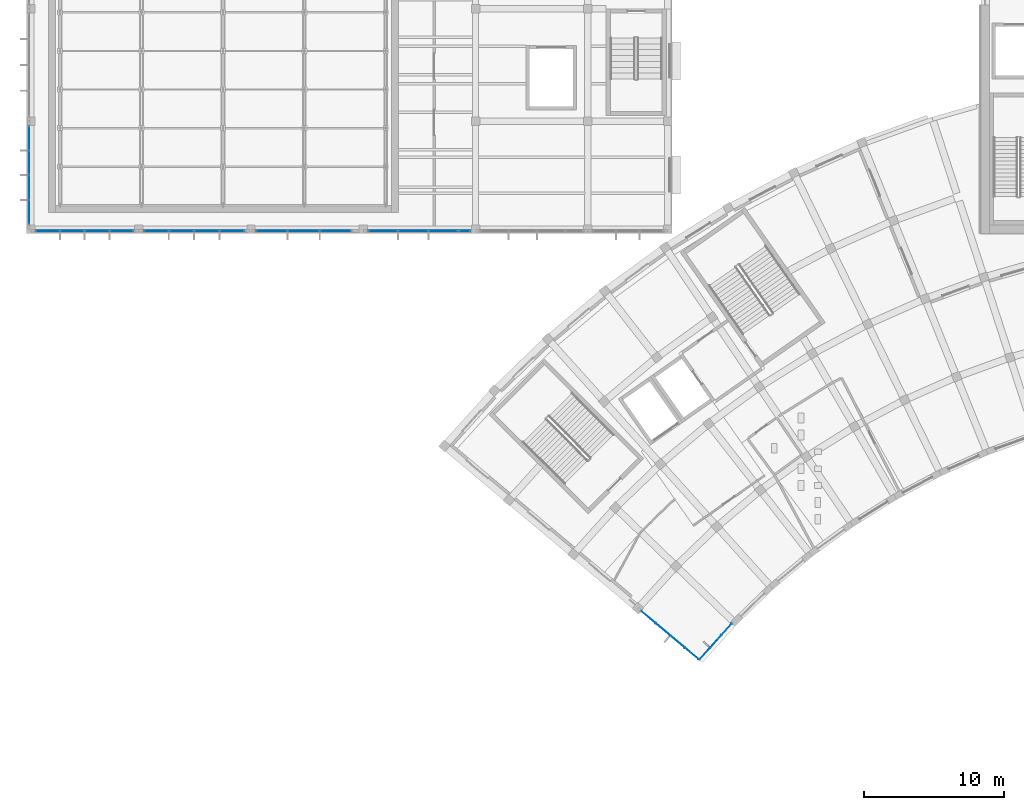
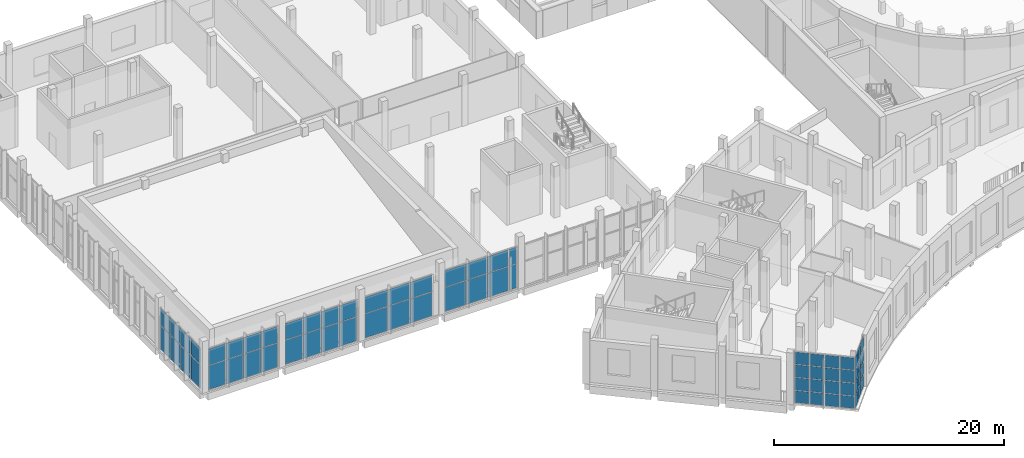
# One storey, part 60 of 132: 66 plates, 8 elements without a shape of their own.
"""IFC4 building model written with IfcOpenShell, lengths in metres."""

from ifc_helpers import new_model, si_unit, direction, frame, origin, origin_2d, place, context, subcontext, project, spatial, rectangle, extrude, material, layer, layer_set, type_object, element, aggregate, save


model = new_model("IFC4")

# Units and contexts
model_context = context("Model", 3, precision=1e-05, world=origin(), true_north=direction((0.0, 1.0)))
body_context = subcontext(model_context, "Body", "Model", "MODEL_VIEW")
ifc_project = project(units=[si_unit("LENGTHUNIT", "METRE"), si_unit("AREAUNIT", "SQUARE_METRE"), si_unit("VOLUMEUNIT", "CUBIC_METRE"), si_unit("PLANEANGLEUNIT", "RADIAN"), si_unit("MASSUNIT", "GRAM", prefix="KILO")], contexts=[model_context])

# Site, building, storey
site_placement = place(None, origin())
site = spatial("IfcSite", under=ifc_project, at=site_placement, CompositionType="ELEMENT")
building_placement = place(site_placement, origin())
building = spatial("IfcBuilding", under=site, at=building_placement, Name="Lunette Opera House", CompositionType="ELEMENT")
storey_placement = place(building_placement, frame((0.0, 0.0, 17.0)))
storey = spatial("IfcBuildingStorey", under=building, at=storey_placement, Name="L03", CompositionType="ELEMENT", Elevation=17.0)

# Curtain wall, plates
ifc_material_1 = material(Name="Aluminium", Category="aluminium")
ifc_layer_1 = layer(ifc_material_1, 0.159912109375)
ifc_layer_set_1 = layer_set([ifc_layer_1], Name="Aluminium")
curtain_wall_type_1 = type_object("IfcCurtainWallType", Name="CORNER CURTAIN WALL", PredefinedType="NOTDEFINED", material=ifc_layer_set_1)
curtain_wall_1_placement = place(storey_placement, origin())
curtain_wall_1 = element("IfcCurtainWall", 1, at=curtain_wall_1_placement, inside=storey, type_object=curtain_wall_type_1, Name="Corner Curtain Wall GC-W1 L03", PredefinedType="NOTDEFINED")
ifc_material_2 = material(Name="Laminated glass", Category="glass")
ifc_layer_2 = layer(ifc_material_2, 0.028076171875)
ifc_layer_set_2 = layer_set([ifc_layer_2], Name="Laminated glass")
plate_type = type_object("IfcPlateType", Name="CURTAIN PANEL LAMINATED GLASS 28", PredefinedType="CURTAIN_PANEL", material=ifc_layer_set_2)
plate_1_placement = place(storey_placement, frame((57.874267578125, 35.777587890625, 0.06005859375), z_axis=(0.0, 0.0, 1.0), x_axis=(-0.667938143615, -0.744216793887, 0.0)))
plate_1 = element("IfcPlate", 2, at=plate_1_placement, type_object=plate_type, Name="FC-X2167 panel 1.1", PredefinedType="CURTAIN_PANEL", context=body_context, shape_type="SweptSolid", body=[
    extrude(rectangle(XDim=1.07666015625, YDim=0.028076171875, at=origin_2d()), origin(), (0.0, 0.0, 1.0), 1.284912109375),
])
plate_2_placement = place(storey_placement, frame((57.874267578125, 35.777587890625, 1.405029296875), z_axis=(0.0, 0.0, 1.0), x_axis=(-0.667938143615, -0.744216793887, 0.0)))
plate_2 = element("IfcPlate", 3, at=plate_2_placement, type_object=plate_type, Name="FC-X2167 panel 1.2", PredefinedType="CURTAIN_PANEL", context=body_context, shape_type="SweptSolid", body=[
    extrude(rectangle(XDim=1.07666015625, YDim=0.028076171875, at=origin_2d()), origin(), (0.0, 0.0, 1.0), 1.31494140625),
])
plate_3_placement = place(storey_placement, frame((57.874267578125, 35.777587890625, 2.780029296875), z_axis=(0.0, 0.0, 1.0), x_axis=(-0.667938143615, -0.744216793887, 0.0)))
plate_3 = element("IfcPlate", 4, at=plate_3_placement, type_object=plate_type, Name="FC-X2167 panel 1.3", PredefinedType="CURTAIN_PANEL", context=body_context, shape_type="SweptSolid", body=[
    extrude(rectangle(XDim=1.07666015625, YDim=0.028076171875, at=origin_2d()), origin(), (0.0, 0.0, 1.0), 1.31494140625),
])
plate_4_placement = place(storey_placement, frame((57.874267578125, 35.777587890625, 4.1552734375), z_axis=(0.0, 0.0, 1.0), x_axis=(-0.667938143615, -0.744216793887, 0.0)))
plate_4 = element("IfcPlate", 5, at=plate_4_placement, type_object=plate_type, Name="FC-X2167 panel 1.4", PredefinedType="CURTAIN_PANEL", context=body_context, shape_type="SweptSolid", body=[
    extrude(rectangle(XDim=1.07666015625, YDim=0.028076171875, at=origin_2d()), origin(), (0.0, 0.0, 1.0), 1.284912109375),
])
plate_5_placement = place(storey_placement, frame((57.10498046875, 34.92041015625, 0.06005859375), z_axis=(0.0, 0.0, 1.0), x_axis=(-0.667938143615, -0.744216793887, 0.0)))
plate_5 = element("IfcPlate", 6, at=plate_5_placement, type_object=plate_type, Name="FC-X2167 panel 2.1", PredefinedType="CURTAIN_PANEL", context=body_context, shape_type="SweptSolid", body=[
    extrude(rectangle(XDim=1.106689453125, YDim=0.028076171875, at=origin_2d()), origin(), (0.0, 0.0, 1.0), 1.284912109375),
])
plate_6_placement = place(storey_placement, frame((57.10498046875, 34.92041015625, 1.405029296875), z_axis=(0.0, 0.0, 1.0), x_axis=(-0.667938143615, -0.744216793887, 0.0)))
plate_6 = element("IfcPlate", 7, at=plate_6_placement, type_object=plate_type, Name="FC-X2167 panel 2.2", PredefinedType="CURTAIN_PANEL", context=body_context, shape_type="SweptSolid", body=[
    extrude(rectangle(XDim=1.106689453125, YDim=0.028076171875, at=origin_2d()), origin(), (0.0, 0.0, 1.0), 1.31494140625),
])
plate_7_placement = place(storey_placement, frame((57.10498046875, 34.92041015625, 2.780029296875), z_axis=(0.0, 0.0, 1.0), x_axis=(-0.667938143615, -0.744216793887, 0.0)))
plate_7 = element("IfcPlate", 8, at=plate_7_placement, type_object=plate_type, Name="FC-X2167 panel 2.3", PredefinedType="CURTAIN_PANEL", context=body_context, shape_type="SweptSolid", body=[
    extrude(rectangle(XDim=1.106689453125, YDim=0.028076171875, at=origin_2d()), origin(), (0.0, 0.0, 1.0), 1.31494140625),
])
plate_8_placement = place(storey_placement, frame((57.10498046875, 34.92041015625, 4.1552734375), z_axis=(0.0, 0.0, 1.0), x_axis=(-0.667938143615, -0.744216793887, 0.0)))
plate_8 = element("IfcPlate", 9, at=plate_8_placement, type_object=plate_type, Name="FC-X2167 panel 2.4", PredefinedType="CURTAIN_PANEL", context=body_context, shape_type="SweptSolid", body=[
    extrude(rectangle(XDim=1.106689453125, YDim=0.028076171875, at=origin_2d()), origin(), (0.0, 0.0, 1.0), 1.284912109375),
])
plate_9_placement = place(storey_placement, frame((56.335693359375, 34.063232421875, 0.06005859375), z_axis=(0.0, 0.0, 1.0), x_axis=(-0.667938143615, -0.744216793887, 0.0)))
plate_9 = element("IfcPlate", 10, at=plate_9_placement, type_object=plate_type, Name="FC-X2167 panel 3.1", PredefinedType="CURTAIN_PANEL", context=body_context, shape_type="SweptSolid", body=[
    extrude(rectangle(XDim=1.07666015625, YDim=0.028076171875, at=origin_2d()), origin(), (0.0, 0.0, 1.0), 1.284912109375),
])
plate_10_placement = place(storey_placement, frame((56.335693359375, 34.063232421875, 1.405029296875), z_axis=(0.0, 0.0, 1.0), x_axis=(-0.667938143615, -0.744216793887, 0.0)))
plate_10 = element("IfcPlate", 11, at=plate_10_placement, type_object=plate_type, Name="FC-X2167 panel 3.2", PredefinedType="CURTAIN_PANEL", context=body_context, shape_type="SweptSolid", body=[
    extrude(rectangle(XDim=1.07666015625, YDim=0.028076171875, at=origin_2d()), origin(), (0.0, 0.0, 1.0), 1.31494140625),
])
plate_11_placement = place(storey_placement, frame((56.335693359375, 34.063232421875, 2.780029296875), z_axis=(0.0, 0.0, 1.0), x_axis=(-0.667938143615, -0.744216793887, 0.0)))
plate_11 = element("IfcPlate", 12, at=plate_11_placement, type_object=plate_type, Name="FC-X2167 panel 3.3", PredefinedType="CURTAIN_PANEL", context=body_context, shape_type="SweptSolid", body=[
    extrude(rectangle(XDim=1.07666015625, YDim=0.028076171875, at=origin_2d()), origin(), (0.0, 0.0, 1.0), 1.31494140625),
])
plate_12_placement = place(storey_placement, frame((56.335693359375, 34.063232421875, 4.1552734375), z_axis=(0.0, 0.0, 1.0), x_axis=(-0.667938143615, -0.744216793887, 0.0)))
plate_12 = element("IfcPlate", 13, at=plate_12_placement, type_object=plate_type, Name="FC-X2167 panel 3.4", PredefinedType="CURTAIN_PANEL", context=body_context, shape_type="SweptSolid", body=[
    extrude(rectangle(XDim=1.07666015625, YDim=0.028076171875, at=origin_2d()), origin(), (0.0, 0.0, 1.0), 1.284912109375),
])
aggregate(curtain_wall_1, [plate_1, plate_2, plate_3, plate_4, plate_5, plate_6, plate_7, plate_8, plate_9, plate_10, plate_11, plate_12])

curtain_wall_2_placement = place(storey_placement, origin())
curtain_wall_2 = element("IfcCurtainWall", 14, at=curtain_wall_2_placement, inside=storey, type_object=curtain_wall_type_1, Name="Corner Curtain Wall GC-W2 L03", PredefinedType="NOTDEFINED")
plate_13_placement = place(storey_placement, frame((55.407470703125, 34.0615234375, 0.06005859375), z_axis=(0.0, 0.0, 1.0), x_axis=(-0.766000309852, 0.642840201999, 0.0)))
plate_13 = element("IfcPlate", 15, at=plate_13_placement, type_object=plate_type, Name="FC-X2168 panel 1.1", PredefinedType="CURTAIN_PANEL", context=body_context, shape_type="SweptSolid", body=[
    extrude(rectangle(XDim=1.259765625, YDim=0.028076171875, at=origin_2d()), origin(), (0.0, 0.0, 1.0), 1.284912109375),
])
plate_14_placement = place(storey_placement, frame((55.407470703125, 34.0615234375, 1.405029296875), z_axis=(0.0, 0.0, 1.0), x_axis=(-0.766000309852, 0.642840201999, 0.0)))
plate_14 = element("IfcPlate", 16, at=plate_14_placement, type_object=plate_type, Name="FC-X2168 panel 1.2", PredefinedType="CURTAIN_PANEL", context=body_context, shape_type="SweptSolid", body=[
    extrude(rectangle(XDim=1.259765625, YDim=0.028076171875, at=origin_2d()), origin(), (0.0, 0.0, 1.0), 1.31494140625),
])
plate_15_placement = place(storey_placement, frame((55.407470703125, 34.0615234375, 2.780029296875), z_axis=(0.0, 0.0, 1.0), x_axis=(-0.766000309852, 0.642840201999, 0.0)))
plate_15 = element("IfcPlate", 17, at=plate_15_placement, type_object=plate_type, Name="FC-X2168 panel 1.3", PredefinedType="CURTAIN_PANEL", context=body_context, shape_type="SweptSolid", body=[
    extrude(rectangle(XDim=1.259765625, YDim=0.028076171875, at=origin_2d()), origin(), (0.0, 0.0, 1.0), 1.31494140625),
])
plate_16_placement = place(storey_placement, frame((55.407470703125, 34.0615234375, 4.1552734375), z_axis=(0.0, 0.0, 1.0), x_axis=(-0.766000309852, 0.642840201999, 0.0)))
plate_16 = element("IfcPlate", 18, at=plate_16_placement, type_object=plate_type, Name="FC-X2168 panel 1.4", PredefinedType="CURTAIN_PANEL", context=body_context, shape_type="SweptSolid", body=[
    extrude(rectangle(XDim=1.259765625, YDim=0.028076171875, at=origin_2d()), origin(), (0.0, 0.0, 1.0), 1.284912109375),
])
plate_17_placement = place(storey_placement, frame((54.385009765625, 34.919677734375, 0.06005859375), z_axis=(0.0, 0.0, 1.0), x_axis=(-0.766000309852, 0.642840201999, 0.0)))
plate_17 = element("IfcPlate", 19, at=plate_17_placement, type_object=plate_type, Name="FC-X2168 panel 2.1", PredefinedType="CURTAIN_PANEL", context=body_context, shape_type="SweptSolid", body=[
    extrude(rectangle(XDim=1.289794921875, YDim=0.028076171875, at=origin_2d()), origin(), (0.0, 0.0, 1.0), 1.284912109375),
])
plate_18_placement = place(storey_placement, frame((54.385009765625, 34.919677734375, 1.405029296875), z_axis=(0.0, 0.0, 1.0), x_axis=(-0.766000309852, 0.642840201999, 0.0)))
plate_18 = element("IfcPlate", 20, at=plate_18_placement, type_object=plate_type, Name="FC-X2168 panel 2.2", PredefinedType="CURTAIN_PANEL", context=body_context, shape_type="SweptSolid", body=[
    extrude(rectangle(XDim=1.289794921875, YDim=0.028076171875, at=origin_2d()), origin(), (0.0, 0.0, 1.0), 1.31494140625),
])
plate_19_placement = place(storey_placement, frame((54.385009765625, 34.919677734375, 2.780029296875), z_axis=(0.0, 0.0, 1.0), x_axis=(-0.766000309852, 0.642840201999, 0.0)))
plate_19 = element("IfcPlate", 21, at=plate_19_placement, type_object=plate_type, Name="FC-X2168 panel 2.3", PredefinedType="CURTAIN_PANEL", context=body_context, shape_type="SweptSolid", body=[
    extrude(rectangle(XDim=1.289794921875, YDim=0.028076171875, at=origin_2d()), origin(), (0.0, 0.0, 1.0), 1.31494140625),
])
plate_20_placement = place(storey_placement, frame((54.385009765625, 34.919677734375, 4.1552734375), z_axis=(0.0, 0.0, 1.0), x_axis=(-0.766000309852, 0.642840201999, 0.0)))
plate_20 = element("IfcPlate", 22, at=plate_20_placement, type_object=plate_type, Name="FC-X2168 panel 2.4", PredefinedType="CURTAIN_PANEL", context=body_context, shape_type="SweptSolid", body=[
    extrude(rectangle(XDim=1.289794921875, YDim=0.028076171875, at=origin_2d()), origin(), (0.0, 0.0, 1.0), 1.284912109375),
])
plate_21_placement = place(storey_placement, frame((53.35107421875, 35.787353515625, 0.06005859375), z_axis=(0.0, 0.0, 1.0), x_axis=(-0.766000309852, 0.642840201999, 0.0)))
plate_21 = element("IfcPlate", 23, at=plate_21_placement, type_object=plate_type, Name="FC-X2168 panel 3.1", PredefinedType="CURTAIN_PANEL", context=body_context, shape_type="SweptSolid", body=[
    extrude(rectangle(XDim=1.289794921875, YDim=0.028076171875, at=origin_2d()), origin(), (0.0, 0.0, 1.0), 1.284912109375),
])
plate_22_placement = place(storey_placement, frame((53.35107421875, 35.787353515625, 1.405029296875), z_axis=(0.0, 0.0, 1.0), x_axis=(-0.766000309852, 0.642840201999, 0.0)))
plate_22 = element("IfcPlate", 24, at=plate_22_placement, type_object=plate_type, Name="FC-X2168 panel 3.2", PredefinedType="CURTAIN_PANEL", context=body_context, shape_type="SweptSolid", body=[
    extrude(rectangle(XDim=1.289794921875, YDim=0.028076171875, at=origin_2d()), origin(), (0.0, 0.0, 1.0), 1.31494140625),
])
plate_23_placement = place(storey_placement, frame((53.35107421875, 35.787353515625, 2.780029296875), z_axis=(0.0, 0.0, 1.0), x_axis=(-0.766000309852, 0.642840201999, 0.0)))
plate_23 = element("IfcPlate", 25, at=plate_23_placement, type_object=plate_type, Name="FC-X2168 panel 3.3", PredefinedType="CURTAIN_PANEL", context=body_context, shape_type="SweptSolid", body=[
    extrude(rectangle(XDim=1.289794921875, YDim=0.028076171875, at=origin_2d()), origin(), (0.0, 0.0, 1.0), 1.31494140625),
])
plate_24_placement = place(storey_placement, frame((53.35107421875, 35.787353515625, 4.1552734375), z_axis=(0.0, 0.0, 1.0), x_axis=(-0.766000309852, 0.642840201999, 0.0)))
plate_24 = element("IfcPlate", 26, at=plate_24_placement, type_object=plate_type, Name="FC-X2168 panel 3.4", PredefinedType="CURTAIN_PANEL", context=body_context, shape_type="SweptSolid", body=[
    extrude(rectangle(XDim=1.289794921875, YDim=0.028076171875, at=origin_2d()), origin(), (0.0, 0.0, 1.0), 1.284912109375),
])
plate_25_placement = place(storey_placement, frame((52.328369140625, 36.6455078125, 0.06005859375), z_axis=(0.0, 0.0, 1.0), x_axis=(-0.766000309852, 0.642840201999, 0.0)))
plate_25 = element("IfcPlate", 27, at=plate_25_placement, type_object=plate_type, Name="FC-X2168 panel 4.1", PredefinedType="CURTAIN_PANEL", context=body_context, shape_type="SweptSolid", body=[
    extrude(rectangle(XDim=1.259765625, YDim=0.028076171875, at=origin_2d()), origin(), (0.0, 0.0, 1.0), 1.284912109375),
])
plate_26_placement = place(storey_placement, frame((52.328369140625, 36.6455078125, 1.405029296875), z_axis=(0.0, 0.0, 1.0), x_axis=(-0.766000309852, 0.642840201999, 0.0)))
plate_26 = element("IfcPlate", 28, at=plate_26_placement, type_object=plate_type, Name="FC-X2168 panel 4.2", PredefinedType="CURTAIN_PANEL", context=body_context, shape_type="SweptSolid", body=[
    extrude(rectangle(XDim=1.259765625, YDim=0.028076171875, at=origin_2d()), origin(), (0.0, 0.0, 1.0), 1.31494140625),
])
plate_27_placement = place(storey_placement, frame((52.328369140625, 36.6455078125, 2.780029296875), z_axis=(0.0, 0.0, 1.0), x_axis=(-0.766000309852, 0.642840201999, 0.0)))
plate_27 = element("IfcPlate", 29, at=plate_27_placement, type_object=plate_type, Name="FC-X2168 panel 4.3", PredefinedType="CURTAIN_PANEL", context=body_context, shape_type="SweptSolid", body=[
    extrude(rectangle(XDim=1.259765625, YDim=0.028076171875, at=origin_2d()), origin(), (0.0, 0.0, 1.0), 1.31494140625),
])
plate_28_placement = place(storey_placement, frame((52.328369140625, 36.6455078125, 4.1552734375), z_axis=(0.0, 0.0, 1.0), x_axis=(-0.766000309852, 0.642840201999, 0.0)))
plate_28 = element("IfcPlate", 30, at=plate_28_placement, type_object=plate_type, Name="FC-X2168 panel 4.4", PredefinedType="CURTAIN_PANEL", context=body_context, shape_type="SweptSolid", body=[
    extrude(rectangle(XDim=1.259765625, YDim=0.028076171875, at=origin_2d()), origin(), (0.0, 0.0, 1.0), 1.284912109375),
])
aggregate(curtain_wall_2, [plate_13, plate_14, plate_15, plate_16, plate_17, plate_18, plate_19, plate_20, plate_21, plate_22, plate_23, plate_24, plate_25, plate_26, plate_27, plate_28])

ifc_material_3 = material(Name="Aluminium", Category="aluminium")
ifc_layer_3 = layer(ifc_material_3, 0.179931640625)
ifc_layer_set_3 = layer_set([ifc_layer_3], Name="Aluminium")
curtain_wall_type_2 = type_object("IfcCurtainWallType", Name="SUN FACE CURTAIN WALL", PredefinedType="NOTDEFINED", material=ifc_layer_set_3)
curtain_wall_3_placement = place(storey_placement, origin())
curtain_wall_3 = element("IfcCurtainWall", 31, at=curtain_wall_3_placement, inside=storey, type_object=curtain_wall_type_2, Name="Sun Face Curtain Wall F18 L03", PredefinedType="NOTDEFINED")
plate_29_placement = place(storey_placement, frame((8.181884765625, 70.77490234375, 0.06005859375), z_axis=(0.0, 0.0, 1.0), x_axis=(0.0, -1.0, 0.0)))
plate_29 = element("IfcPlate", 32, at=plate_29_placement, type_object=plate_type, Name="RW-X2048 panel 1.1", PredefinedType="CURTAIN_PANEL", context=body_context, shape_type="SweptSolid", body=[
    extrude(rectangle(XDim=1.669921875, YDim=0.028076171875, at=origin_2d()), origin(), (0.0, 0.0, 1.0), 2.534912109375),
])
plate_30_placement = place(storey_placement, frame((8.181884765625, 70.77490234375, 2.65478515625), z_axis=(0.0, 0.0, 1.0), x_axis=(0.0, -1.0, 0.0)))
plate_30 = element("IfcPlate", 33, at=plate_30_placement, type_object=plate_type, Name="RW-X2048 panel 1.2", PredefinedType="CURTAIN_PANEL", context=body_context, shape_type="SweptSolid", body=[
    extrude(rectangle(XDim=1.669921875, YDim=0.028076171875, at=origin_2d()), origin(), (0.0, 0.0, 1.0), 1.735107421875),
])
plate_31_placement = place(storey_placement, frame((8.181884765625, 69.030029296875, 0.06005859375), z_axis=(0.0, 0.0, 1.0), x_axis=(0.0, -1.0, 0.0)))
plate_31 = element("IfcPlate", 34, at=plate_31_placement, type_object=plate_type, Name="RW-X2048 panel 2.1", PredefinedType="CURTAIN_PANEL", context=body_context, shape_type="SweptSolid", body=[
    extrude(rectangle(XDim=1.699951171875, YDim=0.028076171875, at=origin_2d()), origin(), (0.0, 0.0, 1.0), 2.534912109375),
])
plate_32_placement = place(storey_placement, frame((8.181884765625, 69.030029296875, 2.65478515625), z_axis=(0.0, 0.0, 1.0), x_axis=(0.0, -1.0, 0.0)))
plate_32 = element("IfcPlate", 35, at=plate_32_placement, type_object=plate_type, Name="RW-X2048 panel 2.2", PredefinedType="CURTAIN_PANEL", context=body_context, shape_type="SweptSolid", body=[
    extrude(rectangle(XDim=1.699951171875, YDim=0.028076171875, at=origin_2d()), origin(), (0.0, 0.0, 1.0), 1.735107421875),
])
plate_33_placement = place(storey_placement, frame((8.181884765625, 67.27001953125, 0.06005859375), z_axis=(0.0, 0.0, 1.0), x_axis=(0.0, -1.0, 0.0)))
plate_33 = element("IfcPlate", 36, at=plate_33_placement, type_object=plate_type, Name="RW-X2048 panel 3.1", PredefinedType="CURTAIN_PANEL", context=body_context, shape_type="SweptSolid", body=[
    extrude(rectangle(XDim=1.699951171875, YDim=0.028076171875, at=origin_2d()), origin(), (0.0, 0.0, 1.0), 2.534912109375),
])
plate_34_placement = place(storey_placement, frame((8.181884765625, 67.27001953125, 2.65478515625), z_axis=(0.0, 0.0, 1.0), x_axis=(0.0, -1.0, 0.0)))
plate_34 = element("IfcPlate", 37, at=plate_34_placement, type_object=plate_type, Name="RW-X2048 panel 3.2", PredefinedType="CURTAIN_PANEL", context=body_context, shape_type="SweptSolid", body=[
    extrude(rectangle(XDim=1.699951171875, YDim=0.028076171875, at=origin_2d()), origin(), (0.0, 0.0, 1.0), 1.735107421875),
])
plate_35_placement = place(storey_placement, frame((8.181884765625, 65.52490234375, 0.06005859375), z_axis=(0.0, 0.0, 1.0), x_axis=(0.0, -1.0, 0.0)))
plate_35 = element("IfcPlate", 38, at=plate_35_placement, type_object=plate_type, Name="RW-X2048 panel 4.1", PredefinedType="CURTAIN_PANEL", context=body_context, shape_type="SweptSolid", body=[
    extrude(rectangle(XDim=1.669921875, YDim=0.028076171875, at=origin_2d()), origin(), (0.0, 0.0, 1.0), 2.534912109375),
])
plate_36_placement = place(storey_placement, frame((8.181884765625, 65.52490234375, 2.65478515625), z_axis=(0.0, 0.0, 1.0), x_axis=(0.0, -1.0, 0.0)))
plate_36 = element("IfcPlate", 39, at=plate_36_placement, type_object=plate_type, Name="RW-X2048 panel 4.2", PredefinedType="CURTAIN_PANEL", context=body_context, shape_type="SweptSolid", body=[
    extrude(rectangle(XDim=1.669921875, YDim=0.028076171875, at=origin_2d()), origin(), (0.0, 0.0, 1.0), 1.735107421875),
])
aggregate(curtain_wall_3, [plate_29, plate_30, plate_31, plate_32, plate_33, plate_34, plate_35, plate_36])

curtain_wall_4_placement = place(storey_placement, origin())
curtain_wall_4 = element("IfcCurtainWall", 40, at=curtain_wall_4_placement, inside=storey, type_object=curtain_wall_type_2, Name="Sun Face Curtain Wall F19 L03", PredefinedType="NOTDEFINED")
plate_37_placement = place(storey_placement, frame((9.52490234375, 64.18310546875, 0.06005859375), z_axis=(0.0, 0.0, 1.0), x_axis=(1.0, 0.0, 0.0)))
plate_37 = element("IfcPlate", 41, at=plate_37_placement, type_object=plate_type, Name="RW-X2049 panel 1.1", PredefinedType="CURTAIN_PANEL", context=body_context, shape_type="SweptSolid", body=[
    extrude(rectangle(XDim=1.669921875, YDim=0.028076171875, at=origin_2d()), origin(), (0.0, 0.0, 1.0), 2.534912109375),
])
plate_38_placement = place(storey_placement, frame((9.52490234375, 64.18310546875, 2.65478515625), z_axis=(0.0, 0.0, 1.0), x_axis=(1.0, 0.0, 0.0)))
plate_38 = element("IfcPlate", 42, at=plate_38_placement, type_object=plate_type, Name="RW-X2049 panel 1.2", PredefinedType="CURTAIN_PANEL", context=body_context, shape_type="SweptSolid", body=[
    extrude(rectangle(XDim=1.669921875, YDim=0.028076171875, at=origin_2d()), origin(), (0.0, 0.0, 1.0), 1.735107421875),
])
plate_39_placement = place(storey_placement, frame((11.27001953125, 64.18310546875, 0.06005859375), z_axis=(0.0, 0.0, 1.0), x_axis=(1.0, 0.0, 0.0)))
plate_39 = element("IfcPlate", 43, at=plate_39_placement, type_object=plate_type, Name="RW-X2049 panel 2.1", PredefinedType="CURTAIN_PANEL", context=body_context, shape_type="SweptSolid", body=[
    extrude(rectangle(XDim=1.699951171875, YDim=0.028076171875, at=origin_2d()), origin(), (0.0, 0.0, 1.0), 2.534912109375),
])
plate_40_placement = place(storey_placement, frame((11.27001953125, 64.18310546875, 2.65478515625), z_axis=(0.0, 0.0, 1.0), x_axis=(1.0, 0.0, 0.0)))
plate_40 = element("IfcPlate", 44, at=plate_40_placement, type_object=plate_type, Name="RW-X2049 panel 2.2", PredefinedType="CURTAIN_PANEL", context=body_context, shape_type="SweptSolid", body=[
    extrude(rectangle(XDim=1.699951171875, YDim=0.028076171875, at=origin_2d()), origin(), (0.0, 0.0, 1.0), 1.735107421875),
])
plate_41_placement = place(storey_placement, frame((13.030029296875, 64.18310546875, 0.06005859375), z_axis=(0.0, 0.0, 1.0), x_axis=(1.0, 0.0, 0.0)))
plate_41 = element("IfcPlate", 45, at=plate_41_placement, type_object=plate_type, Name="RW-X2049 panel 3.1", PredefinedType="CURTAIN_PANEL", context=body_context, shape_type="SweptSolid", body=[
    extrude(rectangle(XDim=1.699951171875, YDim=0.028076171875, at=origin_2d()), origin(), (0.0, 0.0, 1.0), 2.534912109375),
])
plate_42_placement = place(storey_placement, frame((13.030029296875, 64.18310546875, 2.65478515625), z_axis=(0.0, 0.0, 1.0), x_axis=(1.0, 0.0, 0.0)))
plate_42 = element("IfcPlate", 46, at=plate_42_placement, type_object=plate_type, Name="RW-X2049 panel 3.2", PredefinedType="CURTAIN_PANEL", context=body_context, shape_type="SweptSolid", body=[
    extrude(rectangle(XDim=1.699951171875, YDim=0.028076171875, at=origin_2d()), origin(), (0.0, 0.0, 1.0), 1.735107421875),
])
plate_43_placement = place(storey_placement, frame((14.77490234375, 64.18310546875, 0.06005859375), z_axis=(0.0, 0.0, 1.0), x_axis=(1.0, 0.0, 0.0)))
plate_43 = element("IfcPlate", 47, at=plate_43_placement, type_object=plate_type, Name="RW-X2049 panel 4.1", PredefinedType="CURTAIN_PANEL", context=body_context, shape_type="SweptSolid", body=[
    extrude(rectangle(XDim=1.669921875, YDim=0.028076171875, at=origin_2d()), origin(), (0.0, 0.0, 1.0), 2.534912109375),
])
plate_44_placement = place(storey_placement, frame((14.77490234375, 64.18310546875, 2.65478515625), z_axis=(0.0, 0.0, 1.0), x_axis=(1.0, 0.0, 0.0)))
plate_44 = element("IfcPlate", 48, at=plate_44_placement, type_object=plate_type, Name="RW-X2049 panel 4.2", PredefinedType="CURTAIN_PANEL", context=body_context, shape_type="SweptSolid", body=[
    extrude(rectangle(XDim=1.669921875, YDim=0.028076171875, at=origin_2d()), origin(), (0.0, 0.0, 1.0), 1.735107421875),
])
aggregate(curtain_wall_4, [plate_37, plate_38, plate_39, plate_40, plate_41, plate_42, plate_43, plate_44])

curtain_wall_5_placement = place(storey_placement, origin())
curtain_wall_5 = element("IfcCurtainWall", 49, at=curtain_wall_5_placement, inside=storey, type_object=curtain_wall_type_2, Name="Sun Face Curtain Wall F20 L03", PredefinedType="NOTDEFINED")
plate_45_placement = place(storey_placement, frame((17.2509765625, 64.18310546875, 0.06005859375), z_axis=(0.0, 0.0, 1.0), x_axis=(1.0, 0.0, 0.0)))
plate_45 = element("IfcPlate", 50, at=plate_45_placement, type_object=plate_type, Name="RW-X2050 panel 1.1", PredefinedType="CURTAIN_PANEL", context=body_context, shape_type="SweptSolid", body=[
    extrude(rectangle(XDim=1.7216796875, YDim=0.028076171875, at=origin_2d()), origin(), (0.0, 0.0, 1.0), 2.534912109375),
])
plate_46_placement = place(storey_placement, frame((17.2509765625, 64.18310546875, 2.65478515625), z_axis=(0.0, 0.0, 1.0), x_axis=(1.0, 0.0, 0.0)))
plate_46 = element("IfcPlate", 51, at=plate_46_placement, type_object=plate_type, Name="RW-X2050 panel 1.2", PredefinedType="CURTAIN_PANEL", context=body_context, shape_type="SweptSolid", body=[
    extrude(rectangle(XDim=1.7216796875, YDim=0.028076171875, at=origin_2d()), origin(), (0.0, 0.0, 1.0), 1.735107421875),
])
plate_47_placement = place(storey_placement, frame((19.047607421875, 64.18310546875, 0.06005859375), z_axis=(0.0, 0.0, 1.0), x_axis=(1.0, 0.0, 0.0)))
plate_47 = element("IfcPlate", 52, at=plate_47_placement, type_object=plate_type, Name="RW-X2050 panel 2.1", PredefinedType="CURTAIN_PANEL", context=body_context, shape_type="SweptSolid", body=[
    extrude(rectangle(XDim=1.751708984375, YDim=0.028076171875, at=origin_2d()), origin(), (0.0, 0.0, 1.0), 2.534912109375),
])
plate_48_placement = place(storey_placement, frame((19.047607421875, 64.18310546875, 2.65478515625), z_axis=(0.0, 0.0, 1.0), x_axis=(1.0, 0.0, 0.0)))
plate_48 = element("IfcPlate", 53, at=plate_48_placement, type_object=plate_type, Name="RW-X2050 panel 2.2", PredefinedType="CURTAIN_PANEL", context=body_context, shape_type="SweptSolid", body=[
    extrude(rectangle(XDim=1.751708984375, YDim=0.028076171875, at=origin_2d()), origin(), (0.0, 0.0, 1.0), 1.735107421875),
])
plate_49_placement = place(storey_placement, frame((20.859375, 64.18310546875, 0.06005859375), z_axis=(0.0, 0.0, 1.0), x_axis=(1.0, 0.0, 0.0)))
plate_49 = element("IfcPlate", 54, at=plate_49_placement, type_object=plate_type, Name="RW-X2050 panel 3.1", PredefinedType="CURTAIN_PANEL", context=body_context, shape_type="SweptSolid", body=[
    extrude(rectangle(XDim=1.751708984375, YDim=0.028076171875, at=origin_2d()), origin(), (0.0, 0.0, 1.0), 2.534912109375),
])
plate_50_placement = place(storey_placement, frame((20.859375, 64.18310546875, 2.65478515625), z_axis=(0.0, 0.0, 1.0), x_axis=(1.0, 0.0, 0.0)))
plate_50 = element("IfcPlate", 55, at=plate_50_placement, type_object=plate_type, Name="RW-X2050 panel 3.2", PredefinedType="CURTAIN_PANEL", context=body_context, shape_type="SweptSolid", body=[
    extrude(rectangle(XDim=1.751708984375, YDim=0.028076171875, at=origin_2d()), origin(), (0.0, 0.0, 1.0), 1.735107421875),
])
plate_51_placement = place(storey_placement, frame((22.656005859375, 64.18310546875, 0.06005859375), z_axis=(0.0, 0.0, 1.0), x_axis=(1.0, 0.0, 0.0)))
plate_51 = element("IfcPlate", 56, at=plate_51_placement, type_object=plate_type, Name="RW-X2050 panel 4.1", PredefinedType="CURTAIN_PANEL", context=body_context, shape_type="SweptSolid", body=[
    extrude(rectangle(XDim=1.7216796875, YDim=0.028076171875, at=origin_2d()), origin(), (0.0, 0.0, 1.0), 2.534912109375),
])
plate_52_placement = place(storey_placement, frame((22.656005859375, 64.18310546875, 2.65478515625), z_axis=(0.0, 0.0, 1.0), x_axis=(1.0, 0.0, 0.0)))
plate_52 = element("IfcPlate", 57, at=plate_52_placement, type_object=plate_type, Name="RW-X2050 panel 4.2", PredefinedType="CURTAIN_PANEL", context=body_context, shape_type="SweptSolid", body=[
    extrude(rectangle(XDim=1.7216796875, YDim=0.028076171875, at=origin_2d()), origin(), (0.0, 0.0, 1.0), 1.735107421875),
])
aggregate(curtain_wall_5, [plate_45, plate_46, plate_47, plate_48, plate_49, plate_50, plate_51, plate_52])

curtain_wall_6_placement = place(storey_placement, origin())
curtain_wall_6 = element("IfcCurtainWall", 58, at=curtain_wall_6_placement, inside=storey, type_object=curtain_wall_type_2, Name="Sun Face Curtain Wall F21 L03", PredefinedType="NOTDEFINED")
plate_53_placement = place(storey_placement, frame((25.487060546875, 64.18310546875, 0.06005859375), z_axis=(0.0, 0.0, 1.0), x_axis=(1.0, 0.0, 0.0)))
plate_53 = element("IfcPlate", 59, at=plate_53_placement, type_object=plate_type, Name="RW-X2051 panel 1.1", PredefinedType="CURTAIN_PANEL", context=body_context, shape_type="SweptSolid", body=[
    extrude(rectangle(XDim=2.1943359375, YDim=0.028076171875, at=origin_2d()), origin(), (0.0, 0.0, 1.0), 2.534912109375),
])
plate_54_placement = place(storey_placement, frame((25.487060546875, 64.18310546875, 2.65478515625), z_axis=(0.0, 0.0, 1.0), x_axis=(1.0, 0.0, 0.0)))
plate_54 = element("IfcPlate", 60, at=plate_54_placement, type_object=plate_type, Name="RW-X2051 panel 1.2", PredefinedType="CURTAIN_PANEL", context=body_context, shape_type="SweptSolid", body=[
    extrude(rectangle(XDim=2.1943359375, YDim=0.028076171875, at=origin_2d()), origin(), (0.0, 0.0, 1.0), 1.735107421875),
])
plate_55_placement = place(storey_placement, frame((27.756591796875, 64.18310546875, 0.06005859375), z_axis=(0.0, 0.0, 1.0), x_axis=(1.0, 0.0, 0.0)))
plate_55 = element("IfcPlate", 61, at=plate_55_placement, type_object=plate_type, Name="RW-X2051 panel 2.1", PredefinedType="CURTAIN_PANEL", context=body_context, shape_type="SweptSolid", body=[
    extrude(rectangle(XDim=2.224365234375, YDim=0.028076171875, at=origin_2d()), origin(), (0.0, 0.0, 1.0), 2.534912109375),
])
plate_56_placement = place(storey_placement, frame((27.756591796875, 64.18310546875, 2.65478515625), z_axis=(0.0, 0.0, 1.0), x_axis=(1.0, 0.0, 0.0)))
plate_56 = element("IfcPlate", 62, at=plate_56_placement, type_object=plate_type, Name="RW-X2051 panel 2.2", PredefinedType="CURTAIN_PANEL", context=body_context, shape_type="SweptSolid", body=[
    extrude(rectangle(XDim=2.224365234375, YDim=0.028076171875, at=origin_2d()), origin(), (0.0, 0.0, 1.0), 1.735107421875),
])
plate_57_placement = place(storey_placement, frame((30.02587890625, 64.18310546875, 0.06005859375), z_axis=(0.0, 0.0, 1.0), x_axis=(1.0, 0.0, 0.0)))
plate_57 = element("IfcPlate", 63, at=plate_57_placement, type_object=plate_type, Name="RW-X2051 panel 3.1", PredefinedType="CURTAIN_PANEL", context=body_context, shape_type="SweptSolid", body=[
    extrude(rectangle(XDim=2.1943359375, YDim=0.028076171875, at=origin_2d()), origin(), (0.0, 0.0, 1.0), 2.534912109375),
])
plate_58_placement = place(storey_placement, frame((30.02587890625, 64.18310546875, 2.65478515625), z_axis=(0.0, 0.0, 1.0), x_axis=(1.0, 0.0, 0.0)))
plate_58 = element("IfcPlate", 64, at=plate_58_placement, type_object=plate_type, Name="RW-X2051 panel 3.2", PredefinedType="CURTAIN_PANEL", context=body_context, shape_type="SweptSolid", body=[
    extrude(rectangle(XDim=2.1943359375, YDim=0.028076171875, at=origin_2d()), origin(), (0.0, 0.0, 1.0), 1.735107421875),
])
aggregate(curtain_wall_6, [plate_53, plate_54, plate_55, plate_56, plate_57, plate_58])

curtain_wall_7_placement = place(storey_placement, origin())
curtain_wall_7 = element("IfcCurtainWall", 65, at=curtain_wall_7_placement, inside=storey, type_object=curtain_wall_type_2, Name="Sun Face Curtain Wall F22 L03", PredefinedType="NOTDEFINED")
plate_59_placement = place(storey_placement, frame((33.42138671875, 64.18310546875, 0.06005859375), z_axis=(0.0, 0.0, 1.0), x_axis=(1.0, 0.0, 0.0)))
plate_59 = element("IfcPlate", 66, at=plate_59_placement, type_object=plate_type, Name="RW-X2052 panel 1.1", PredefinedType="CURTAIN_PANEL", context=body_context, shape_type="SweptSolid", body=[
    extrude(rectangle(XDim=2.062744140625, YDim=0.028076171875, at=origin_2d()), origin(), (0.0, 0.0, 1.0), 2.534912109375),
])
plate_60_placement = place(storey_placement, frame((33.42138671875, 64.18310546875, 2.65478515625), z_axis=(0.0, 0.0, 1.0), x_axis=(1.0, 0.0, 0.0)))
plate_60 = element("IfcPlate", 67, at=plate_60_placement, type_object=plate_type, Name="RW-X2052 panel 1.2", PredefinedType="CURTAIN_PANEL", context=body_context, shape_type="SweptSolid", body=[
    extrude(rectangle(XDim=2.062744140625, YDim=0.028076171875, at=origin_2d()), origin(), (0.0, 0.0, 1.0), 1.735107421875),
])
plate_61_placement = place(storey_placement, frame((35.55908203125, 64.18310546875, 0.06005859375), z_axis=(0.0, 0.0, 1.0), x_axis=(1.0, 0.0, 0.0)))
plate_61 = element("IfcPlate", 68, at=plate_61_placement, type_object=plate_type, Name="RW-X2052 panel 2.1", PredefinedType="CURTAIN_PANEL", context=body_context, shape_type="SweptSolid", body=[
    extrude(rectangle(XDim=2.0927734375, YDim=0.028076171875, at=origin_2d()), origin(), (0.0, 0.0, 1.0), 2.534912109375),
])
plate_62_placement = place(storey_placement, frame((35.55908203125, 64.18310546875, 2.65478515625), z_axis=(0.0, 0.0, 1.0), x_axis=(1.0, 0.0, 0.0)))
plate_62 = element("IfcPlate", 69, at=plate_62_placement, type_object=plate_type, Name="RW-X2052 panel 2.2", PredefinedType="CURTAIN_PANEL", context=body_context, shape_type="SweptSolid", body=[
    extrude(rectangle(XDim=2.0927734375, YDim=0.028076171875, at=origin_2d()), origin(), (0.0, 0.0, 1.0), 1.735107421875),
])
plate_63_placement = place(storey_placement, frame((37.69677734375, 64.18310546875, 0.06005859375), z_axis=(0.0, 0.0, 1.0), x_axis=(1.0, 0.0, 0.0)))
plate_63 = element("IfcPlate", 70, at=plate_63_placement, type_object=plate_type, Name="RW-X2052 panel 3.1", PredefinedType="CURTAIN_PANEL", context=body_context, shape_type="SweptSolid", body=[
    extrude(rectangle(XDim=2.062744140625, YDim=0.028076171875, at=origin_2d()), origin(), (0.0, 0.0, 1.0), 2.534912109375),
])
plate_64_placement = place(storey_placement, frame((37.69677734375, 64.18310546875, 2.65478515625), z_axis=(0.0, 0.0, 1.0), x_axis=(1.0, 0.0, 0.0)))
plate_64 = element("IfcPlate", 71, at=plate_64_placement, type_object=plate_type, Name="RW-X2052 panel 3.2", PredefinedType="CURTAIN_PANEL", context=body_context, shape_type="SweptSolid", body=[
    extrude(rectangle(XDim=2.062744140625, YDim=0.028076171875, at=origin_2d()), origin(), (0.0, 0.0, 1.0), 1.735107421875),
])
aggregate(curtain_wall_7, [plate_59, plate_60, plate_61, plate_62, plate_63, plate_64])

curtain_wall_8_placement = place(storey_placement, origin())
curtain_wall_8 = element("IfcCurtainWall", 72, at=curtain_wall_8_placement, inside=storey, type_object=curtain_wall_type_2, Name="Sun Face Curtain Wall F23-1 L03", PredefinedType="NOTDEFINED")
plate_65_placement = place(storey_placement, frame((39.22900390625, 64.18310546875, 0.06005859375), z_axis=(0.0, 0.0, 1.0), x_axis=(1.0, 0.0, 0.0)))
plate_65 = element("IfcPlate", 73, at=plate_65_placement, type_object=plate_type, Name="RW-X2053 panel 1.1", PredefinedType="CURTAIN_PANEL", context=body_context, shape_type="SweptSolid", body=[
    extrude(rectangle(XDim=0.761962890625, YDim=0.028076171875, at=origin_2d()), origin(), (0.0, 0.0, 1.0), 2.534912109375),
])
plate_66_placement = place(storey_placement, frame((39.22900390625, 64.18310546875, 2.65478515625), z_axis=(0.0, 0.0, 1.0), x_axis=(1.0, 0.0, 0.0)))
plate_66 = element("IfcPlate", 74, at=plate_66_placement, type_object=plate_type, Name="RW-X2053 panel 1.2", PredefinedType="CURTAIN_PANEL", context=body_context, shape_type="SweptSolid", body=[
    extrude(rectangle(XDim=0.761962890625, YDim=0.028076171875, at=origin_2d()), origin(), (0.0, 0.0, 1.0), 1.735107421875),
])
aggregate(curtain_wall_8, [plate_65, plate_66])

save(model, "model.ifc")
